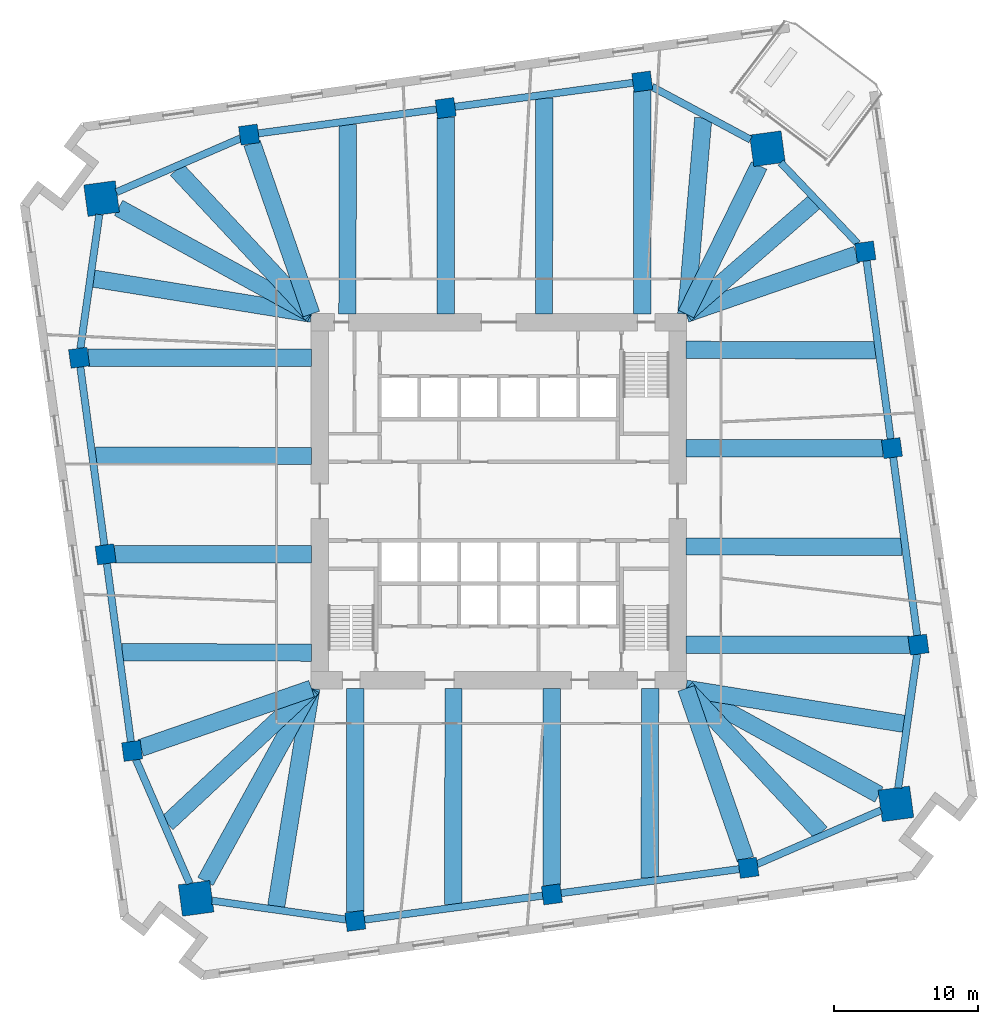
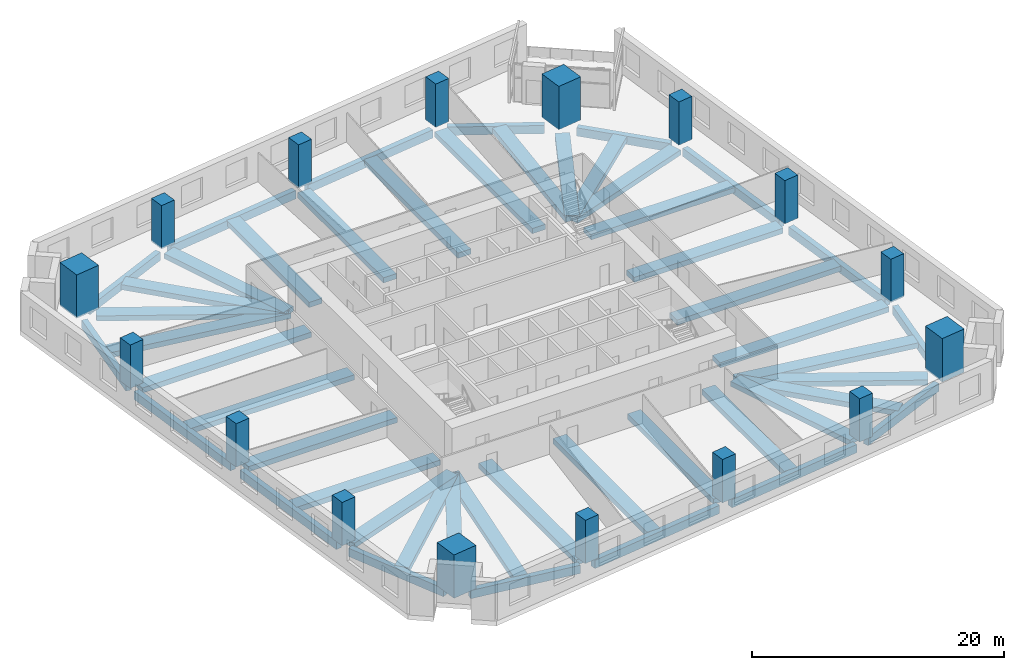
# One storey, part 1 of 12: 48 beams, 16 columns.
"""IFC4 building model written with IfcOpenShell, lengths in metres."""

from ifc_helpers import new_model, si_unit, direction, frame, origin, origin_2d, place, context, subcontext, project, spatial, rectangle, extrude, material, material_profile, profile_set, type_object, element, save


model = new_model("IFC4")

# Units and contexts
model_context = context("Model", 3, precision=1e-05, world=origin(), true_north=direction((0.0, 1.0)))
body_context = subcontext(model_context, "Body", "Model", "MODEL_VIEW")
ifc_project = project(units=[si_unit("LENGTHUNIT", "METRE"), si_unit("AREAUNIT", "SQUARE_METRE"), si_unit("VOLUMEUNIT", "CUBIC_METRE"), si_unit("PLANEANGLEUNIT", "RADIAN"), si_unit("MASSUNIT", "GRAM", prefix="KILO")], contexts=[model_context])

# Site, building, storey
site_placement = place(None, origin())
site = spatial("IfcSite", under=ifc_project, at=site_placement, CompositionType="ELEMENT")
building_placement = place(site_placement, origin())
building = spatial("IfcBuilding", under=site, at=building_placement, Name="Dilmun Exchange Tower", CompositionType="ELEMENT")
storey_placement = place(building_placement, frame((0.0, 0.0, 51.300048828125)))
storey = spatial("IfcBuildingStorey", under=building, at=storey_placement, Name="L11", CompositionType="ELEMENT", Elevation=51.300048828125)

# Columns
ifc_material_1 = material(Name="Concrete C80/95", Category="concrete")
ifc_material_profile_1 = material_profile(ifc_material_1, rectangle(XDim=2.199951171875, YDim=2.199951171875, at=origin_2d()), Name="2200 x 2200")
ifc_profile_set_1 = profile_set([ifc_material_profile_1], Name="Concrete C80/95")
column_type_1 = type_object("IfcColumnType", Name="RC mega column 2200 x 2200 C80/95", PredefinedType="COLUMN", material=ifc_profile_set_1)
for number, where, z_axis, x_axis, name in (
    (1, (18.6220703125, 24.43701171875, 0.0), (0.0, 0.0, 1.0), (0.991001197216, 0.133853005627, 0.0), "Mega column M1"),
    (2, (-27.531005859375, 20.97900390625, 0.0), (0.0, 0.0, 1.0), (0.991001197216, 0.133853005627, 0.0), "Mega column M2"),
    (3, (-20.97900390625, -27.531005859375, 0.0), (0.0, 0.0, 1.0), (0.991001197216, 0.133853005627, 0.0), "Mega column M3"),
    (4, (27.531005859375, -20.97900390625, 0.0), (0.0, 0.0, 1.0), (0.991001197216, 0.133853005627, 0.0), "Mega column M4"),
):
    element("IfcColumn", number, at=place(storey_placement, frame(where, z_axis=z_axis, x_axis=x_axis)), inside=storey, type_object=column_type_1, Name=name, PredefinedType="COLUMN", context=body_context, shape_type="SweptSolid", body=[
        extrude(rectangle(XDim=2.199951171875, YDim=2.199951171875, at=origin_2d()), origin(), (0.0, 0.0, 1.0), 4.199951171875),
    ])
ifc_material_profile_2 = material_profile(ifc_material_1, rectangle(XDim=1.300048828125, YDim=1.300048828125, at=origin_2d()), Name="1300 x 1300")
ifc_profile_set_2 = profile_set([ifc_material_profile_2], Name="Concrete C80/95")
column_type_2 = type_object("IfcColumnType", Name="RC ring column 1300 x 1300 C80/95", PredefinedType="COLUMN", material=ifc_profile_set_2)
for number, where, z_axis, x_axis, name in (
    (5, (9.945068359375, 29.093017578125, 0.0), (0.0, 0.0, 1.0), (0.991001197216, 0.133853005627, 0.0), "Ring column R01"),
    (6, (-3.680908203125, 27.2529296875, 0.0), (0.0, 0.0, 1.0), (0.991001197216, 0.133853005627, 0.0), "Ring column R02"),
    (7, (-17.306884765625, 25.412109375, 0.0), (0.0, 0.0, 1.0), (0.991001197216, 0.133853005627, 0.0), "Ring column R03"),
    (8, (-29.093017578125, 9.945068359375, 0.0), (0.0, 0.0, 1.0), (0.991001197216, 0.133853005627, 0.0), "Ring column R04"),
    (9, (-27.2529296875, -3.680908203125, 0.0), (0.0, 0.0, 1.0), (0.991001197216, 0.133853005627, 0.0), "Ring column R05"),
    (10, (-25.412109375, -17.306884765625, 0.0), (0.0, 0.0, 1.0), (0.991001197216, 0.133853005627, 0.0), "Ring column R06"),
    (11, (-9.945068359375, -29.093017578125, 0.0), (0.0, 0.0, 1.0), (0.991001197216, 0.133853005627, 0.0), "Ring column R07"),
    (12, (3.680908203125, -27.2529296875, 0.0), (0.0, 0.0, 1.0), (0.991001197216, 0.133853005627, 0.0), "Ring column R08"),
    (13, (17.306884765625, -25.412109375, 0.0), (0.0, 0.0, 1.0), (0.991001197216, 0.133853005627, 0.0), "Ring column R09"),
    (14, (29.093017578125, -9.945068359375, 0.0), (0.0, 0.0, 1.0), (0.991001197216, 0.133853005627, 0.0), "Ring column R10"),
    (15, (27.2529296875, 3.680908203125, 0.0), (0.0, 0.0, 1.0), (0.991001197216, 0.133853005627, 0.0), "Ring column R11"),
    (16, (25.412109375, 17.306884765625, 0.0), (0.0, 0.0, 1.0), (0.991001197216, 0.133853005627, 0.0), "Ring column R12"),
):
    element("IfcColumn", number, at=place(storey_placement, frame(where, z_axis=z_axis, x_axis=x_axis)), inside=storey, type_object=column_type_2, Name=name, PredefinedType="COLUMN", context=body_context, shape_type="SweptSolid", body=[
        extrude(rectangle(XDim=1.300048828125, YDim=1.300048828125, at=origin_2d()), origin(), (0.0, 0.0, 1.0), 4.199951171875),
    ])

# Beams
ifc_material_2 = material(Name="Concrete C40/50", Category="concrete")
ifc_material_profile_3 = material_profile(ifc_material_2, rectangle(XDim=1.199951171875, YDim=0.5, at=origin_2d()), Name="1200 x 500")
ifc_profile_set_3 = profile_set([ifc_material_profile_3], Name="Concrete C40/50")
beam_type_1 = type_object("IfcBeamType", Name="RC band beam 1200 x 500 C40/50", PredefinedType="BEAM", material=ifc_profile_set_3)
beam_1_placement = place(storey_placement, frame((18.049560546875, 23.272216796875, -0.699951171875), z_axis=(-0.44116009834, -0.897428419225, 0.0), x_axis=(0.897428419225, -0.44116009834, 0.0)))
element("IfcBeam", 17, at=beam_1_placement, inside=storey, type_object=beam_type_1, Name="Band beam 1", PredefinedType="BEAM", context=body_context, shape_type="SweptSolid", body=[
    extrude(rectangle(XDim=1.199951171875, YDim=0.5, at=origin_2d()), origin(), (0.0, 0.0, 1.0), 11.47314453125),
])
beam_2_placement = place(storey_placement, frame((9.945068359375, 28.464111328125, -0.699951171875), z_axis=(0.0, -1.0, 0.0), x_axis=(1.0, 0.0, 0.0)))
element("IfcBeam", 18, at=beam_2_placement, inside=storey, type_object=beam_type_1, Name="Band beam 2", PredefinedType="BEAM", context=body_context, shape_type="SweptSolid", body=[
    extrude(rectangle(XDim=1.199951171875, YDim=0.5, at=origin_2d()), origin(), (0.0, 0.0, 1.0), 15.4912109375),
])
beam_3_placement = place(storey_placement, frame((-3.680908203125, 26.6240234375, -0.699951171875), z_axis=(0.0, -1.0, 0.0), x_axis=(1.0, 0.0, 0.0)))
element("IfcBeam", 19, at=beam_3_placement, inside=storey, type_object=beam_type_1, Name="Band beam 3", PredefinedType="BEAM", context=body_context, shape_type="SweptSolid", body=[
    extrude(rectangle(XDim=1.199951171875, YDim=0.5, at=origin_2d()), origin(), (0.0, 0.0, 1.0), 13.651123046875),
])
beam_4_placement = place(storey_placement, frame((-17.098388671875, 24.81103515625, -0.699951171875), z_axis=(0.327819910959, -0.94474023201, 0.0), x_axis=(0.94474023201, 0.327819910959, 0.0)))
element("IfcBeam", 20, at=beam_4_placement, inside=storey, type_object=beam_type_1, Name="Band beam 4", PredefinedType="BEAM", context=body_context, shape_type="SweptSolid", body=[
    extrude(rectangle(XDim=1.199951171875, YDim=0.5, at=origin_2d()), origin(), (0.0, 0.0, 1.0), 12.52880859375),
])
beam_5_placement = place(storey_placement, frame((-26.355712890625, 20.333740234375, -0.699951171875), z_axis=(0.876547324806, -0.481315683699, 0.0), x_axis=(0.481315683699, 0.876547324806, 0.0)))
element("IfcBeam", 21, at=beam_5_placement, inside=storey, type_object=beam_type_1, Name="Band beam 5", PredefinedType="BEAM", context=body_context, shape_type="SweptSolid", body=[
    extrude(rectangle(XDim=1.199951171875, YDim=0.5, at=origin_2d()), origin(), (0.0, 0.0, 1.0), 15.263671875),
])
beam_6_placement = place(storey_placement, frame((-28.464111328125, 9.945068359375, -0.699951171875), z_axis=(1.0, 0.0, 0.0), x_axis=(0.0, 1.0, 0.0)))
element("IfcBeam", 22, at=beam_6_placement, inside=storey, type_object=beam_type_1, Name="Band beam 6", PredefinedType="BEAM", context=body_context, shape_type="SweptSolid", body=[
    extrude(rectangle(XDim=1.199951171875, YDim=0.5, at=origin_2d()), origin(), (0.0, 0.0, 1.0), 15.4912109375),
])
beam_7_placement = place(storey_placement, frame((-26.6240234375, -3.680908203125, -0.699951171875), z_axis=(1.0, 0.0, 0.0), x_axis=(0.0, 1.0, 0.0)))
element("IfcBeam", 23, at=beam_7_placement, inside=storey, type_object=beam_type_1, Name="Band beam 7", PredefinedType="BEAM", context=body_context, shape_type="SweptSolid", body=[
    extrude(rectangle(XDim=1.199951171875, YDim=0.5, at=origin_2d()), origin(), (0.0, 0.0, 1.0), 13.651123046875),
])
beam_8_placement = place(storey_placement, frame((-24.81103515625, -17.098388671875, -0.699951171875), z_axis=(0.94474023201, 0.327819910959, 0.0), x_axis=(-0.327819910959, 0.94474023201, 0.0)))
element("IfcBeam", 24, at=beam_8_placement, inside=storey, type_object=beam_type_1, Name="Band beam 8", PredefinedType="BEAM", context=body_context, shape_type="SweptSolid", body=[
    extrude(rectangle(XDim=1.199951171875, YDim=0.5, at=origin_2d()), origin(), (0.0, 0.0, 1.0), 12.52880859375),
])
beam_9_placement = place(storey_placement, frame((-20.333740234375, -26.355712890625, -0.699951171875), z_axis=(0.481315683699, 0.876547324806, 0.0), x_axis=(-0.876547324806, 0.481315683699, 0.0)))
element("IfcBeam", 25, at=beam_9_placement, inside=storey, type_object=beam_type_1, Name="Band beam 9", PredefinedType="BEAM", context=body_context, shape_type="SweptSolid", body=[
    extrude(rectangle(XDim=1.199951171875, YDim=0.5, at=origin_2d()), origin(), (0.0, 0.0, 1.0), 15.263671875),
])
beam_10_placement = place(storey_placement, frame((-9.945068359375, -28.464111328125, -0.699951171875), z_axis=(0.0, 1.0, 0.0), x_axis=(-1.0, 0.0, 0.0)))
element("IfcBeam", 26, at=beam_10_placement, inside=storey, type_object=beam_type_1, Name="Band beam 10", PredefinedType="BEAM", context=body_context, shape_type="SweptSolid", body=[
    extrude(rectangle(XDim=1.199951171875, YDim=0.5, at=origin_2d()), origin(), (0.0, 0.0, 1.0), 15.4912109375),
])
beam_11_placement = place(storey_placement, frame((3.680908203125, -26.6240234375, -0.699951171875), z_axis=(0.0, 1.0, 0.0), x_axis=(-1.0, 0.0, 0.0)))
element("IfcBeam", 27, at=beam_11_placement, inside=storey, type_object=beam_type_1, Name="Band beam 11", PredefinedType="BEAM", context=body_context, shape_type="SweptSolid", body=[
    extrude(rectangle(XDim=1.199951171875, YDim=0.5, at=origin_2d()), origin(), (0.0, 0.0, 1.0), 13.651123046875),
])
beam_12_placement = place(storey_placement, frame((17.098388671875, -24.81103515625, -0.699951171875), z_axis=(-0.327819910959, 0.94474023201, 0.0), x_axis=(-0.94474023201, -0.327819910959, 0.0)))
element("IfcBeam", 28, at=beam_12_placement, inside=storey, type_object=beam_type_1, Name="Band beam 12", PredefinedType="BEAM", context=body_context, shape_type="SweptSolid", body=[
    extrude(rectangle(XDim=1.199951171875, YDim=0.5, at=origin_2d()), origin(), (0.0, 0.0, 1.0), 12.52880859375),
])
beam_13_placement = place(storey_placement, frame((26.355712890625, -20.333740234375, -0.699951171875), z_axis=(-0.876547324806, 0.481315683699, 0.0), x_axis=(-0.481315683699, -0.876547324806, 0.0)))
element("IfcBeam", 29, at=beam_13_placement, inside=storey, type_object=beam_type_1, Name="Band beam 13", PredefinedType="BEAM", context=body_context, shape_type="SweptSolid", body=[
    extrude(rectangle(XDim=1.199951171875, YDim=0.5, at=origin_2d()), origin(), (0.0, 0.0, 1.0), 15.263671875),
])
beam_14_placement = place(storey_placement, frame((28.464111328125, -9.945068359375, -0.699951171875), z_axis=(-1.0, 0.0, 0.0), x_axis=(0.0, -1.0, 0.0)))
element("IfcBeam", 30, at=beam_14_placement, inside=storey, type_object=beam_type_1, Name="Band beam 14", PredefinedType="BEAM", context=body_context, shape_type="SweptSolid", body=[
    extrude(rectangle(XDim=1.199951171875, YDim=0.5, at=origin_2d()), origin(), (0.0, 0.0, 1.0), 15.4912109375),
])
beam_15_placement = place(storey_placement, frame((26.6240234375, 3.680908203125, -0.699951171875), z_axis=(-1.0, 0.0, 0.0), x_axis=(0.0, -1.0, 0.0)))
element("IfcBeam", 31, at=beam_15_placement, inside=storey, type_object=beam_type_1, Name="Band beam 15", PredefinedType="BEAM", context=body_context, shape_type="SweptSolid", body=[
    extrude(rectangle(XDim=1.199951171875, YDim=0.5, at=origin_2d()), origin(), (0.0, 0.0, 1.0), 13.651123046875),
])
beam_16_placement = place(storey_placement, frame((24.81103515625, 17.098388671875, -0.699951171875), z_axis=(-0.94474023201, -0.327819910959, 0.0), x_axis=(0.327819910959, -0.94474023201, 0.0)))
element("IfcBeam", 32, at=beam_16_placement, inside=storey, type_object=beam_type_1, Name="Band beam 16", PredefinedType="BEAM", context=body_context, shape_type="SweptSolid", body=[
    extrude(rectangle(XDim=1.199951171875, YDim=0.5, at=origin_2d()), origin(), (0.0, 0.0, 1.0), 12.52880859375),
])
beam_17_placement = place(storey_placement, frame((14.177978515625, 26.568603515625, -0.699951171875), z_axis=(-0.086499148019, -0.996251924662, 0.0), x_axis=(0.996251924662, -0.086499148019, 0.0)))
element("IfcBeam", 33, at=beam_17_placement, inside=storey, type_object=beam_type_1, Name="Band beam 17", PredefinedType="BEAM", context=body_context, shape_type="SweptSolid", body=[
    extrude(rectangle(XDim=1.199951171875, YDim=0.5, at=origin_2d()), origin(), (0.0, 0.0, 1.0), 13.646728515625),
])
beam_18_placement = place(storey_placement, frame((3.161865234375, 27.951904296875, -0.699951171875), z_axis=(-0.001988456479, -0.999998023018, 0.0), x_axis=(0.999998023018, -0.001988456479, 0.0)))
element("IfcBeam", 34, at=beam_18_placement, inside=storey, type_object=beam_type_1, Name="Band beam 18", PredefinedType="BEAM", context=body_context, shape_type="SweptSolid", body=[
    extrude(rectangle(XDim=1.199951171875, YDim=0.5, at=origin_2d()), origin(), (0.0, 0.0, 1.0), 14.97900390625),
])
beam_19_placement = place(storey_placement, frame((-10.464111328125, 26.111572265625, -0.699951171875), z_axis=(-0.002266977971, -0.999997430402, 0.0), x_axis=(0.999997430402, -0.002266977971, 0.0)))
element("IfcBeam", 35, at=beam_19_placement, inside=storey, type_object=beam_type_1, Name="Band beam 19", PredefinedType="BEAM", context=body_context, shape_type="SweptSolid", body=[
    extrude(rectangle(XDim=1.199951171875, YDim=0.5, at=origin_2d()), origin(), (0.0, 0.0, 1.0), 13.138671875),
])
beam_20_placement = place(storey_placement, frame((-22.330322265625, 22.990966796875, -0.699951171875), z_axis=(0.682523984798, -0.730863195253, 0.0), x_axis=(0.730863195253, 0.682523984798, 0.0)))
element("IfcBeam", 36, at=beam_20_placement, inside=storey, type_object=beam_type_1, Name="Band beam 20", PredefinedType="BEAM", context=body_context, shape_type="SweptSolid", body=[
    extrude(rectangle(XDim=1.199951171875, YDim=0.5, at=origin_2d()), origin(), (0.0, 0.0, 1.0), 13.697265625),
])
beam_21_placement = place(storey_placement, frame((-28.09130859375, 15.4306640625, -0.699951171875), z_axis=(0.98727513595, -0.159021400868, 0.0), x_axis=(0.159021400868, 0.98727513595, 0.0)))
element("IfcBeam", 37, at=beam_21_placement, inside=storey, type_object=beam_type_1, Name="Band beam 21", PredefinedType="BEAM", context=body_context, shape_type="SweptSolid", body=[
    extrude(rectangle(XDim=1.199951171875, YDim=0.5, at=origin_2d()), origin(), (0.0, 0.0, 1.0), 15.312744140625),
])
beam_22_placement = place(storey_placement, frame((-27.951904296875, 3.161865234375, -0.699951171875), z_axis=(0.999998023018, -0.001988456479, 0.0), x_axis=(0.001988456479, 0.999998023018, 0.0)))
element("IfcBeam", 38, at=beam_22_placement, inside=storey, type_object=beam_type_1, Name="Band beam 22", PredefinedType="BEAM", context=body_context, shape_type="SweptSolid", body=[
    extrude(rectangle(XDim=1.199951171875, YDim=0.5, at=origin_2d()), origin(), (0.0, 0.0, 1.0), 14.97900390625),
])
beam_23_placement = place(storey_placement, frame((-26.111572265625, -10.464111328125, -0.699951171875), z_axis=(0.999997430402, -0.002266977971, 0.0), x_axis=(0.002266977971, 0.999997430402, 0.0)))
element("IfcBeam", 39, at=beam_23_placement, inside=storey, type_object=beam_type_1, Name="Band beam 23", PredefinedType="BEAM", context=body_context, shape_type="SweptSolid", body=[
    extrude(rectangle(XDim=1.199951171875, YDim=0.5, at=origin_2d()), origin(), (0.0, 0.0, 1.0), 13.138671875),
])
beam_24_placement = place(storey_placement, frame((-22.990966796875, -22.330322265625, -0.699951171875), z_axis=(0.730863195253, 0.682523984798, 0.0), x_axis=(-0.682523984798, 0.730863195253, 0.0)))
element("IfcBeam", 40, at=beam_24_placement, inside=storey, type_object=beam_type_1, Name="Band beam 24", PredefinedType="BEAM", context=body_context, shape_type="SweptSolid", body=[
    extrude(rectangle(XDim=1.199951171875, YDim=0.5, at=origin_2d()), origin(), (0.0, 0.0, 1.0), 13.697265625),
])
beam_25_placement = place(storey_placement, frame((-15.4306640625, -28.09130859375, -0.699951171875), z_axis=(0.159021400868, 0.98727513595, 0.0), x_axis=(-0.98727513595, 0.159021400868, 0.0)))
element("IfcBeam", 41, at=beam_25_placement, inside=storey, type_object=beam_type_1, Name="Band beam 25", PredefinedType="BEAM", context=body_context, shape_type="SweptSolid", body=[
    extrude(rectangle(XDim=1.199951171875, YDim=0.5, at=origin_2d()), origin(), (0.0, 0.0, 1.0), 15.312744140625),
])
beam_26_placement = place(storey_placement, frame((-3.161865234375, -27.951904296875, -0.699951171875), z_axis=(0.001988456479, 0.999998023018, 0.0), x_axis=(-0.999998023018, 0.001988456479, 0.0)))
element("IfcBeam", 42, at=beam_26_placement, inside=storey, type_object=beam_type_1, Name="Band beam 26", PredefinedType="BEAM", context=body_context, shape_type="SweptSolid", body=[
    extrude(rectangle(XDim=1.199951171875, YDim=0.5, at=origin_2d()), origin(), (0.0, 0.0, 1.0), 14.97900390625),
])
beam_27_placement = place(storey_placement, frame((10.464111328125, -26.111572265625, -0.699951171875), z_axis=(0.002266977971, 0.999997430402, 0.0), x_axis=(-0.999997430402, 0.002266977971, 0.0)))
element("IfcBeam", 43, at=beam_27_placement, inside=storey, type_object=beam_type_1, Name="Band beam 27", PredefinedType="BEAM", context=body_context, shape_type="SweptSolid", body=[
    extrude(rectangle(XDim=1.199951171875, YDim=0.5, at=origin_2d()), origin(), (0.0, 0.0, 1.0), 13.138671875),
])
beam_28_placement = place(storey_placement, frame((22.330322265625, -22.990966796875, -0.699951171875), z_axis=(-0.682523984798, 0.730863195253, 0.0), x_axis=(-0.730863195253, -0.682523984798, 0.0)))
element("IfcBeam", 44, at=beam_28_placement, inside=storey, type_object=beam_type_1, Name="Band beam 28", PredefinedType="BEAM", context=body_context, shape_type="SweptSolid", body=[
    extrude(rectangle(XDim=1.199951171875, YDim=0.5, at=origin_2d()), origin(), (0.0, 0.0, 1.0), 13.697265625),
])
beam_29_placement = place(storey_placement, frame((28.09130859375, -15.4306640625, -0.699951171875), z_axis=(-0.98727513595, 0.159021400868, 0.0), x_axis=(-0.159021400868, -0.98727513595, 0.0)))
element("IfcBeam", 45, at=beam_29_placement, inside=storey, type_object=beam_type_1, Name="Band beam 29", PredefinedType="BEAM", context=body_context, shape_type="SweptSolid", body=[
    extrude(rectangle(XDim=1.199951171875, YDim=0.5, at=origin_2d()), origin(), (0.0, 0.0, 1.0), 15.312744140625),
])
beam_30_placement = place(storey_placement, frame((27.951904296875, -3.161865234375, -0.699951171875), z_axis=(-0.999998023018, 0.001988456479, 0.0), x_axis=(-0.001988456479, -0.999998023018, 0.0)))
element("IfcBeam", 46, at=beam_30_placement, inside=storey, type_object=beam_type_1, Name="Band beam 30", PredefinedType="BEAM", context=body_context, shape_type="SweptSolid", body=[
    extrude(rectangle(XDim=1.199951171875, YDim=0.5, at=origin_2d()), origin(), (0.0, 0.0, 1.0), 14.97900390625),
])
beam_31_placement = place(storey_placement, frame((26.111572265625, 10.464111328125, -0.699951171875), z_axis=(-0.999997430402, 0.002266977971, 0.0), x_axis=(-0.002266977971, -0.999997430402, 0.0)))
element("IfcBeam", 47, at=beam_31_placement, inside=storey, type_object=beam_type_1, Name="Band beam 31", PredefinedType="BEAM", context=body_context, shape_type="SweptSolid", body=[
    extrude(rectangle(XDim=1.199951171875, YDim=0.5, at=origin_2d()), origin(), (0.0, 0.0, 1.0), 13.138671875),
])
beam_32_placement = place(storey_placement, frame((21.85546875, 20.71826171875, -0.699951171875), z_axis=(-0.75384567582, -0.657051517803, 0.0), x_axis=(0.657051517803, -0.75384567582, 0.0)))
element("IfcBeam", 48, at=beam_32_placement, inside=storey, type_object=beam_type_1, Name="Band beam 32", PredefinedType="BEAM", context=body_context, shape_type="SweptSolid", body=[
    extrude(rectangle(XDim=1.199951171875, YDim=0.5, at=origin_2d()), origin(), (0.0, 0.0, 1.0), 11.77392578125),
])
ifc_material_profile_4 = material_profile(ifc_material_2, rectangle(XDim=0.5, YDim=0.800048828125, at=origin_2d()), Name="500 x 800")
ifc_profile_set_4 = profile_set([ifc_material_profile_4], Name="Concrete C40/50")
beam_type_2 = type_object("IfcBeamType", Name="RC ring beam 500 x 800 C40/50", PredefinedType="SPANDREL", material=ifc_profile_set_4)
beam_33_placement = place(storey_placement, frame((17.44921875, 25.06640625, -0.85009765625), z_axis=(-0.881161870548, 0.472814718354, 0.0), x_axis=(-0.472814718354, -0.881161870548, 0.0)))
element("IfcBeam", 49, at=beam_33_placement, inside=storey, type_object=beam_type_2, Name="Ring beam 1", PredefinedType="SPANDREL", context=body_context, shape_type="SweptSolid", body=[
    extrude(rectangle(XDim=0.5, YDim=0.800048828125, at=origin_2d()), origin(), (0.0, 0.0, 1.0), 7.74072265625),
])
for number, where, z_axis, x_axis, name in (
    (50, (9.32763671875, 29.009521484375, -0.85009765625), (-0.991007411355, -0.133806990248, 0.0), (0.133806990248, -0.991007411355, 0.0), "Ring beam 2"),
    (51, (-4.29833984375, 27.169677734375, -0.85009765625), (-0.990994461239, -0.133902867012, 0.0), (0.133902867012, -0.990994461239, 0.0), "Ring beam 3"),
):
    element("IfcBeam", number, at=place(storey_placement, frame(where, z_axis=z_axis, x_axis=x_axis)), inside=storey, type_object=beam_type_2, Name=name, PredefinedType="SPANDREL", context=body_context, shape_type="SweptSolid", body=[
        extrude(rectangle(XDim=0.5, YDim=0.800048828125, at=origin_2d()), origin(), (0.0, 0.0, 1.0), 12.50390625),
    ])
beam_34_placement = place(storey_placement, frame((-17.90185546875, 25.154052734375, -0.85009765625), z_axis=(-0.917467286901, -0.397811233459, 0.0), x_axis=(0.397811233459, -0.917467286901, 0.0)))
element("IfcBeam", 52, at=beam_34_placement, inside=storey, type_object=beam_type_2, Name="Ring beam 4", PredefinedType="SPANDREL", context=body_context, shape_type="SweptSolid", body=[
    extrude(rectangle(XDim=0.5, YDim=0.800048828125, at=origin_2d()), origin(), (0.0, 0.0, 1.0), 9.37939453125),
])
beam_35_placement = place(storey_placement, frame((-27.6875, 19.8740234375, -0.85009765625), z_axis=(-0.140164060375, -0.990128292788, 0.0), x_axis=(0.990128292788, -0.140164060375, 0.0)))
element("IfcBeam", 53, at=beam_35_placement, inside=storey, type_object=beam_type_2, Name="Ring beam 5", PredefinedType="SPANDREL", context=body_context, shape_type="SweptSolid", body=[
    extrude(rectangle(XDim=0.5, YDim=0.800048828125, at=origin_2d()), origin(), (0.0, 0.0, 1.0), 9.379638671875),
])
for number, where, z_axis, x_axis, name in (
    (54, (-29.009521484375, 9.32763671875, -0.85009765625), (0.133806990248, -0.991007411355, 0.0), (0.991007411355, 0.133806990248, 0.0), "Ring beam 6"),
    (55, (-27.169677734375, -4.29833984375, -0.85009765625), (0.133902867012, -0.990994461239, 0.0), (0.990994461239, 0.133902867012, 0.0), "Ring beam 7"),
):
    element("IfcBeam", number, at=place(storey_placement, frame(where, z_axis=z_axis, x_axis=x_axis)), inside=storey, type_object=beam_type_2, Name=name, PredefinedType="SPANDREL", context=body_context, shape_type="SweptSolid", body=[
        extrude(rectangle(XDim=0.5, YDim=0.800048828125, at=origin_2d()), origin(), (0.0, 0.0, 1.0), 12.50390625),
    ])
beam_36_placement = place(storey_placement, frame((-25.154052734375, -17.90185546875, -0.85009765625), z_axis=(0.397811233459, -0.917467286901, 0.0), x_axis=(0.917467286901, 0.397811233459, 0.0)))
element("IfcBeam", 56, at=beam_36_placement, inside=storey, type_object=beam_type_2, Name="Ring beam 8", PredefinedType="SPANDREL", context=body_context, shape_type="SweptSolid", body=[
    extrude(rectangle(XDim=0.5, YDim=0.800048828125, at=origin_2d()), origin(), (0.0, 0.0, 1.0), 9.37939453125),
])
beam_37_placement = place(storey_placement, frame((-19.8740234375, -27.6875, -0.85009765625), z_axis=(0.990128292788, -0.140164060375, 0.0), x_axis=(0.140164060375, 0.990128292788, 0.0)))
element("IfcBeam", 57, at=beam_37_placement, inside=storey, type_object=beam_type_2, Name="Ring beam 9", PredefinedType="SPANDREL", context=body_context, shape_type="SweptSolid", body=[
    extrude(rectangle(XDim=0.5, YDim=0.800048828125, at=origin_2d()), origin(), (0.0, 0.0, 1.0), 9.379638671875),
])
for number, where, z_axis, x_axis, name in (
    (58, (-9.32763671875, -29.009521484375, -0.85009765625), (0.991007411355, 0.133806990248, 0.0), (-0.133806990248, 0.991007411355, 0.0), "Ring beam 10"),
    (59, (4.29833984375, -27.169677734375, -0.85009765625), (0.990994461239, 0.133902867012, 0.0), (-0.133902867012, 0.990994461239, 0.0), "Ring beam 11"),
):
    element("IfcBeam", number, at=place(storey_placement, frame(where, z_axis=z_axis, x_axis=x_axis)), inside=storey, type_object=beam_type_2, Name=name, PredefinedType="SPANDREL", context=body_context, shape_type="SweptSolid", body=[
        extrude(rectangle(XDim=0.5, YDim=0.800048828125, at=origin_2d()), origin(), (0.0, 0.0, 1.0), 12.50390625),
    ])
beam_38_placement = place(storey_placement, frame((17.90185546875, -25.154052734375, -0.85009765625), z_axis=(0.917467286901, 0.397811233459, 0.0), x_axis=(-0.397811233459, 0.917467286901, 0.0)))
element("IfcBeam", 60, at=beam_38_placement, inside=storey, type_object=beam_type_2, Name="Ring beam 12", PredefinedType="SPANDREL", context=body_context, shape_type="SweptSolid", body=[
    extrude(rectangle(XDim=0.5, YDim=0.800048828125, at=origin_2d()), origin(), (0.0, 0.0, 1.0), 9.37939453125),
])
beam_39_placement = place(storey_placement, frame((27.6875, -19.8740234375, -0.85009765625), z_axis=(0.140164060375, 0.990128292788, 0.0), x_axis=(-0.990128292788, 0.140164060375, 0.0)))
element("IfcBeam", 61, at=beam_39_placement, inside=storey, type_object=beam_type_2, Name="Ring beam 13", PredefinedType="SPANDREL", context=body_context, shape_type="SweptSolid", body=[
    extrude(rectangle(XDim=0.5, YDim=0.800048828125, at=origin_2d()), origin(), (0.0, 0.0, 1.0), 9.379638671875),
])
for number, where, z_axis, x_axis, name in (
    (62, (29.009521484375, -9.32763671875, -0.85009765625), (-0.133806990248, 0.991007411355, 0.0), (-0.991007411355, -0.133806990248, 0.0), "Ring beam 14"),
    (63, (27.169677734375, 4.29833984375, -0.85009765625), (-0.133902867012, 0.990994461239, 0.0), (-0.990994461239, -0.133902867012, 0.0), "Ring beam 15"),
):
    element("IfcBeam", number, at=place(storey_placement, frame(where, z_axis=z_axis, x_axis=x_axis)), inside=storey, type_object=beam_type_2, Name=name, PredefinedType="SPANDREL", context=body_context, shape_type="SweptSolid", body=[
        extrude(rectangle(XDim=0.5, YDim=0.800048828125, at=origin_2d()), origin(), (0.0, 0.0, 1.0), 12.50390625),
    ])
beam_40_placement = place(storey_placement, frame((24.877197265625, 17.86865234375, -0.85009765625), z_axis=(-0.689624451134, 0.724167188154, 0.0), x_axis=(-0.724167188154, -0.689624451134, 0.0)))
element("IfcBeam", 64, at=beam_40_placement, inside=storey, type_object=beam_type_2, Name="Ring beam 16", PredefinedType="SPANDREL", context=body_context, shape_type="SweptSolid", body=[
    extrude(rectangle(XDim=0.5, YDim=0.800048828125, at=origin_2d()), origin(), (0.0, 0.0, 1.0), 7.7392578125),
])

save(model, "model.ifc")
